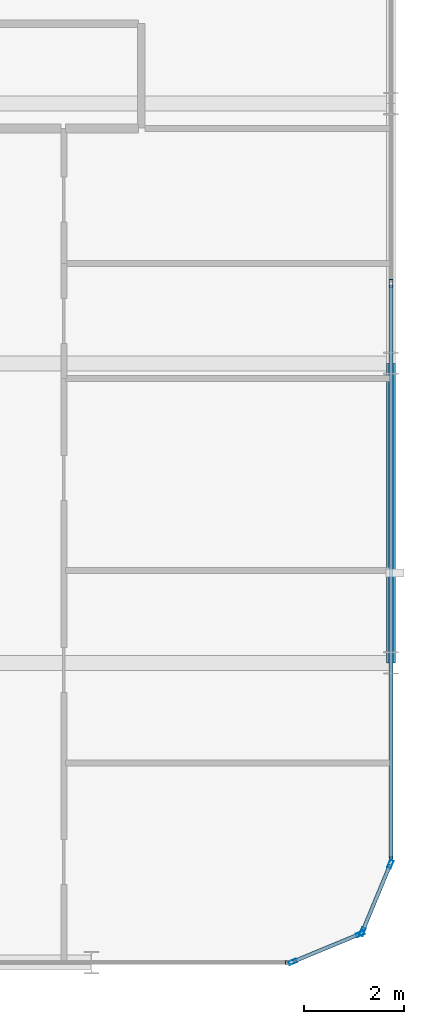
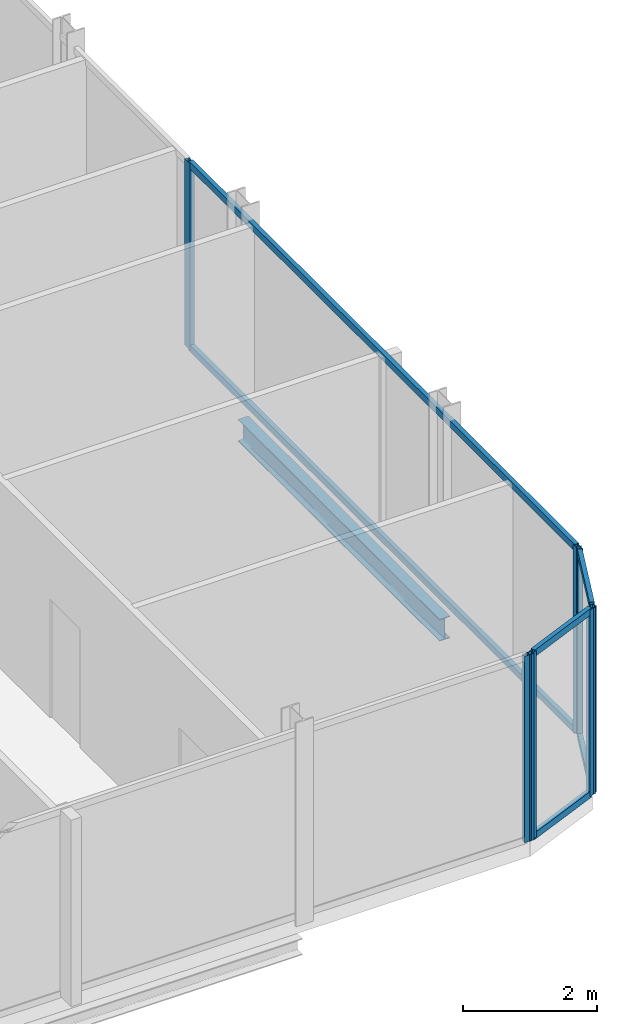
# One storey, part 12 of 29: 13 members, 1 beam, 4 elements without a shape of their own.
"""IFC4 building model written with IfcOpenShell, lengths in metres."""

from ifc_helpers import new_model, si_unit, direction, frame, origin, origin_2d, place, context, subcontext, project, spatial, hollow_rectangle, i_section, extrude, material, layer, layer_set, material_profile, profile_set, type_object, element, aggregate, save


model = new_model("IFC4")

# Units and contexts
model_context = context("Model", 3, precision=1e-05, world=origin(), true_north=direction((0.0, 1.0)))
body_context = subcontext(model_context, "Body", "Model", "MODEL_VIEW")
ifc_project = project(units=[si_unit("LENGTHUNIT", "METRE"), si_unit("AREAUNIT", "SQUARE_METRE"), si_unit("VOLUMEUNIT", "CUBIC_METRE"), si_unit("PLANEANGLEUNIT", "RADIAN"), si_unit("MASSUNIT", "GRAM", prefix="KILO")], contexts=[model_context])

# Site, building, storey
site_placement = place(None, origin())
site = spatial("IfcSite", under=ifc_project, at=site_placement, CompositionType="ELEMENT")
building_placement = place(site_placement, origin())
building = spatial("IfcBuilding", under=site, at=building_placement, Name="Keshet Zoharim Tower", CompositionType="ELEMENT")
storey_placement = place(building_placement, frame((0.0, 0.0, 226.5)))
storey = spatial("IfcBuildingStorey", under=building, at=storey_placement, Name="L56", CompositionType="ELEMENT", Elevation=226.5)

# Beam
ifc_material_1 = material(Name="Steel S355", Category="steel")
ifc_material_profile_1 = material_profile(ifc_material_1, i_section(OverallWidth=0.179931640625, OverallDepth=0.39990234375, WebThickness=0.008544921875, FlangeThickness=0.013427734375, FilletRadius=0.02099609375, at=origin_2d()), Name="IPE400")
ifc_profile_set_1 = profile_set([ifc_material_profile_1], Name="Steel S355")
beam_type = type_object("IfcBeamType", Name="BM-PRI-IP400", PredefinedType="BEAM", material=ifc_profile_set_1)
beam_placement = place(storey_placement, frame((57.0, 6.699951171875, -0.510009765625), z_axis=(0.0, 1.0, 0.0), x_axis=(-1.0, 0.0, 0.0)))
element("IfcBeam", 1, at=beam_placement, inside=storey, type_object=beam_type, Name="L56 Primary Girder Y-013", PredefinedType="BEAM", context=body_context, shape_type="SweptSolid", body=[
    extrude(i_section(OverallWidth=0.179931640625, OverallDepth=0.39990234375, WebThickness=0.008544921875, FlangeThickness=0.013427734375, FilletRadius=0.02099609375, at=origin_2d()), origin(), (0.0, 0.0, 1.0), 6.0),
])

# Curtain wall, members
ifc_material_2 = material(Name="Aluminium 6063-T6", Category="aluminium")
ifc_layer = layer(ifc_material_2, 0.139892578125)
ifc_layer_set = layer_set([ifc_layer], Name="Aluminium 6063-T6")
curtain_wall_type = type_object("IfcCurtainWallType", Name="CW-SYS-05", PredefinedType="NOTDEFINED", material=ifc_layer_set)
curtain_wall_1_placement = place(storey_placement, origin())
curtain_wall_1 = element("IfcCurtainWall", 2, at=curtain_wall_1_placement, inside=storey, type_object=curtain_wall_type, Name="L56 Unitised Curtain Wall 03", PredefinedType="NOTDEFINED")
ifc_material_profile_2 = material_profile(ifc_material_2, hollow_rectangle(XDim=0.074951171875, YDim=0.159912109375, WallThickness=0.00390625, at=origin_2d()), Name="MUL-75x160")
ifc_profile_set_2 = profile_set([ifc_material_profile_2], Name="Aluminium 6063-T6")
member_type_1 = type_object("IfcMemberType", Name="CWM-M15", PredefinedType="MULLION", material=ifc_profile_set_2)
member_1_placement = place(storey_placement, frame((57.0, 14.300048828125, 0.0), z_axis=(0.0, 0.0, 1.0), x_axis=(1.0, 0.0, 0.0)))
member_1 = element("IfcMember", 3, at=member_1_placement, type_object=member_type_1, Name="CW-05 mullion 2", PredefinedType="MULLION", context=body_context, shape_type="SweptSolid", body=[
    extrude(hollow_rectangle(XDim=0.074951171875, YDim=0.159912109375, WallThickness=0.00390625, at=origin_2d()), origin(), (0.0, 0.0, 1.0), 3.389892578125),
])
member_2_placement = place(storey_placement, frame((57.0, 2.735107421875, 0.0), z_axis=(0.0, 0.0, 1.0), x_axis=(1.0, 0.0, 0.0)))
member_2 = element("IfcMember", 4, at=member_2_placement, type_object=member_type_1, Name="CW-05 mullion 3", PredefinedType="MULLION", context=body_context, shape_type="SweptSolid", body=[
    extrude(hollow_rectangle(XDim=0.074951171875, YDim=0.159912109375, WallThickness=0.00390625, at=origin_2d()), origin(), (0.0, 0.0, 1.0), 3.389892578125),
])

curtain_wall_2_placement = place(storey_placement, origin())
curtain_wall_2 = element("IfcCurtainWall", 5, at=curtain_wall_2_placement, inside=storey, type_object=curtain_wall_type, Name="L56 Unitised Curtain Wall 04", PredefinedType="NOTDEFINED")
member_3_placement = place(storey_placement, frame((56.986572265625, 2.667724609375, 0.0), z_axis=(0.0, 0.0, 1.0), x_axis=(0.92380975372, -0.382851849847, 0.0)))
member_3 = element("IfcMember", 6, at=member_3_placement, type_object=member_type_1, Name="CW-05 mullion 1", PredefinedType="MULLION", context=body_context, shape_type="SweptSolid", body=[
    extrude(hollow_rectangle(XDim=0.074951171875, YDim=0.159912109375, WallThickness=0.00390625, at=origin_2d()), origin(), (0.0, 0.0, 1.0), 3.389892578125),
])
member_4_placement = place(storey_placement, frame((56.427490234375, 1.318359375, 0.0), z_axis=(0.0, 0.0, 1.0), x_axis=(0.92380975372, -0.382851849847, 0.0)))
member_4 = element("IfcMember", 7, at=member_4_placement, type_object=member_type_1, Name="CW-05 mullion 2", PredefinedType="MULLION", context=body_context, shape_type="SweptSolid", body=[
    extrude(hollow_rectangle(XDim=0.074951171875, YDim=0.159912109375, WallThickness=0.00390625, at=origin_2d()), origin(), (0.0, 0.0, 1.0), 3.389892578125),
])

curtain_wall_3_placement = place(storey_placement, origin())
curtain_wall_3 = element("IfcCurtainWall", 8, at=curtain_wall_3_placement, inside=storey, type_object=curtain_wall_type, Name="L56 Unitised Curtain Wall 05", PredefinedType="NOTDEFINED")
member_5_placement = place(storey_placement, frame((56.381591796875, 1.272705078125, 0.0), z_axis=(0.0, 0.0, 1.0), x_axis=(0.382851849847, -0.92380975372, 0.0)))
member_5 = element("IfcMember", 9, at=member_5_placement, type_object=member_type_1, Name="CW-05 mullion 1", PredefinedType="MULLION", context=body_context, shape_type="SweptSolid", body=[
    extrude(hollow_rectangle(XDim=0.074951171875, YDim=0.159912109375, WallThickness=0.00390625, at=origin_2d()), origin(), (0.0, 0.0, 1.0), 3.389892578125),
])
member_6_placement = place(storey_placement, frame((55.0322265625, 0.71337890625, 0.0), z_axis=(0.0, 0.0, 1.0), x_axis=(0.382851849847, -0.92380975372, 0.0)))
member_6 = element("IfcMember", 10, at=member_6_placement, type_object=member_type_1, Name="CW-05 mullion 2", PredefinedType="MULLION", context=body_context, shape_type="SweptSolid", body=[
    extrude(hollow_rectangle(XDim=0.074951171875, YDim=0.159912109375, WallThickness=0.00390625, at=origin_2d()), origin(), (0.0, 0.0, 1.0), 3.389892578125),
])

# Curtain wall, member
curtain_wall_4_placement = place(storey_placement, origin())
curtain_wall_4 = element("IfcCurtainWall", 11, at=curtain_wall_4_placement, inside=storey, type_object=curtain_wall_type, Name="L56 Unitised Curtain Wall 06", PredefinedType="NOTDEFINED")
member_7_placement = place(storey_placement, frame((54.965087890625, 0.699951171875, 0.0), z_axis=(0.0, 0.0, 1.0), x_axis=(0.0, -1.0, 0.0)))
member_7 = element("IfcMember", 12, at=member_7_placement, type_object=member_type_1, Name="CW-05 mullion 1", PredefinedType="MULLION", context=body_context, shape_type="SweptSolid", body=[
    extrude(hollow_rectangle(XDim=0.074951171875, YDim=0.159912109375, WallThickness=0.00390625, at=origin_2d()), origin(), (0.0, 0.0, 1.0), 3.389892578125),
])
aggregate(curtain_wall_4, [member_7])

# Member
ifc_material_profile_3 = material_profile(ifc_material_2, hollow_rectangle(XDim=0.074951171875, YDim=0.1201171875, WallThickness=0.00390625, at=origin_2d()), Name="TRN-75x120")
ifc_profile_set_3 = profile_set([ifc_material_profile_3], Name="Aluminium 6063-T6")
member_type_2 = type_object("IfcMemberType", Name="CWT-T12", PredefinedType="USERDEFINED", material=ifc_profile_set_3)
member_8_placement = place(storey_placement, frame((57.0, 14.264892578125, 0.034912109375), z_axis=(0.0, -1.0, 0.0), x_axis=(1.0, 0.0, 0.0)))
member_8 = element("IfcMember", 13, at=member_8_placement, type_object=member_type_2, Name="CW-05 transom 2.1", ObjectType="TRANSOM", PredefinedType="USERDEFINED", context=body_context, shape_type="SweptSolid", body=[
    extrude(hollow_rectangle(XDim=0.074951171875, YDim=0.1201171875, WallThickness=0.00390625, at=origin_2d()), origin(), (0.0, 0.0, 1.0), 11.494873046875),
])

member_9_placement = place(storey_placement, frame((57.0, 14.264892578125, 3.35498046875), z_axis=(0.0, -1.0, 0.0), x_axis=(1.0, 0.0, 0.0)))
member_9 = element("IfcMember", 14, at=member_9_placement, type_object=member_type_2, Name="CW-05 transom 2.2", ObjectType="TRANSOM", PredefinedType="USERDEFINED", context=body_context, shape_type="SweptSolid", body=[
    extrude(hollow_rectangle(XDim=0.074951171875, YDim=0.1201171875, WallThickness=0.00390625, at=origin_2d()), origin(), (0.0, 0.0, 1.0), 11.494873046875),
])

aggregate(curtain_wall_1, [member_1, member_2, member_8, member_9])

member_10_placement = place(storey_placement, frame((56.97314453125, 2.63525390625, 0.034912109375), z_axis=(-0.382744609247, -0.923854189844, 0.0), x_axis=(0.923854189844, -0.382744609247, 0.0)))
member_10 = element("IfcMember", 15, at=member_10_placement, type_object=member_type_2, Name="CW-05 transom 1.1", ObjectType="TRANSOM", PredefinedType="USERDEFINED", context=body_context, shape_type="SweptSolid", body=[
    extrude(hollow_rectangle(XDim=0.074951171875, YDim=0.1201171875, WallThickness=0.00390625, at=origin_2d()), origin(), (0.0, 0.0, 1.0), 1.390625),
])

member_11_placement = place(storey_placement, frame((56.97314453125, 2.63525390625, 3.35498046875), z_axis=(-0.382744609247, -0.923854189844, 0.0), x_axis=(0.923854189844, -0.382744609247, 0.0)))
member_11 = element("IfcMember", 16, at=member_11_placement, type_object=member_type_2, Name="CW-05 transom 1.2", ObjectType="TRANSOM", PredefinedType="USERDEFINED", context=body_context, shape_type="SweptSolid", body=[
    extrude(hollow_rectangle(XDim=0.074951171875, YDim=0.1201171875, WallThickness=0.00390625, at=origin_2d()), origin(), (0.0, 0.0, 1.0), 1.390625),
])

aggregate(curtain_wall_2, [member_3, member_4, member_10, member_11])

member_12_placement = place(storey_placement, frame((56.349365234375, 1.25927734375, 0.034912109375), z_axis=(-0.92379209995, -0.382894445076, 0.0), x_axis=(0.382894445076, -0.92379209995, 0.0)))
member_12 = element("IfcMember", 17, at=member_12_placement, type_object=member_type_2, Name="CW-05 transom 1.1", ObjectType="TRANSOM", PredefinedType="USERDEFINED", context=body_context, shape_type="SweptSolid", body=[
    extrude(hollow_rectangle(XDim=0.074951171875, YDim=0.1201171875, WallThickness=0.00390625, at=origin_2d()), origin(), (0.0, 0.0, 1.0), 1.390625),
])

member_13_placement = place(storey_placement, frame((56.349365234375, 1.25927734375, 3.35498046875), z_axis=(-0.92379209995, -0.382894445076, 0.0), x_axis=(0.382894445076, -0.92379209995, 0.0)))
member_13 = element("IfcMember", 18, at=member_13_placement, type_object=member_type_2, Name="CW-05 transom 1.2", ObjectType="TRANSOM", PredefinedType="USERDEFINED", context=body_context, shape_type="SweptSolid", body=[
    extrude(hollow_rectangle(XDim=0.074951171875, YDim=0.1201171875, WallThickness=0.00390625, at=origin_2d()), origin(), (0.0, 0.0, 1.0), 1.390625),
])

aggregate(curtain_wall_3, [member_5, member_6, member_12, member_13])

save(model, "model.ifc")
